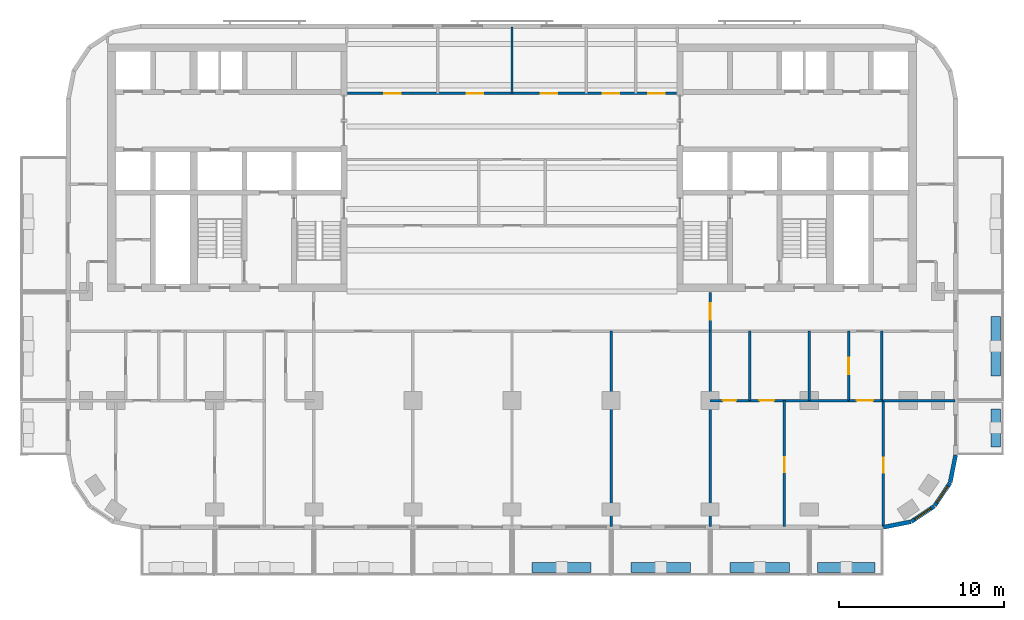
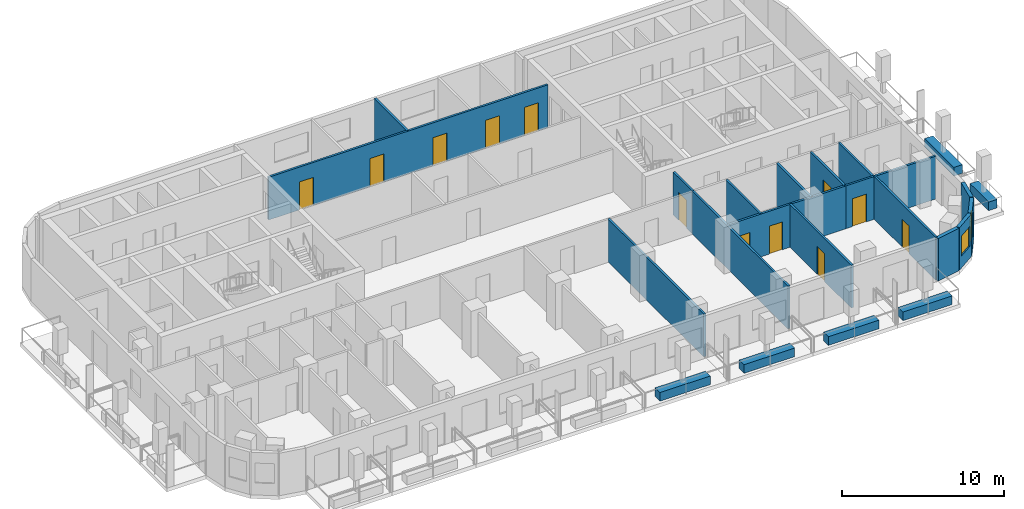
# One storey, part 5 of 11: 24 walls, 12 doors, 2 windows, 14 openings.
"""IFC4 building model written with IfcOpenShell, lengths in metres."""

import ifcopenshell
import ifcopenshell.guid

model = None  # the IFC model being written
_history = None  # IfcOwnerHistory: only IFC2X3 demands one
_inside = {}  # id of a spatial element -> (the spatial element, [elements in it])
_under = {}  # id of a project, library or spatial element -> (it, [spatial elements below it])
_declared = {}  # id of a project -> (the project, [libraries it declares])
_typed = {}  # id of a type object -> (the type object, [elements of that type])
_made_of = {}  # id of a material, layer set ... -> (it, [elements and type objects made of it])


def new_model(schema):
    """Start an empty IFC model of exactly this schema.

    Asked for "IFC4X3", IfcOpenShell would pick the latest addendum, in which some entities
    have other attributes; the version numbers below select the first issue.
    IFC2X3 requires an IfcOwnerHistory on every rooted entity: one is made here for all.
    """
    global model, _history
    if schema == "IFC4X3":
        model = ifcopenshell.file(schema_version=(4, 3, 0, 0))
    else:
        model = ifcopenshell.file(schema=schema)
    _inside.clear()
    _under.clear()
    _declared.clear()
    _typed.clear()
    _made_of.clear()
    _history = None
    if model.schema == "IFC2X3":
        org = make("IfcOrganization", Name="unknown")
        user = make(
            "IfcPersonAndOrganization",
            ThePerson=make("IfcPerson", FamilyName="unknown"),
            TheOrganization=org,
        )
        app = make(
            "IfcApplication",
            ApplicationDeveloper=org,
            Version="unknown",
            ApplicationFullName="unknown",
            ApplicationIdentifier="unknown",
        )
        _history = make(
            "IfcOwnerHistory",
            OwningUser=user,
            OwningApplication=app,
            ChangeAction="ADDED",
            CreationDate=0,
        )
    return model


def make(cls, **values):
    """One entity of the class cls with the attributes given. An attribute that is None is left unset."""
    return model.create_entity(
        cls, **{name: value for name, value in values.items() if value is not None}
    )


def rooted(cls, **values):
    """An entity with a GlobalId (a new one), such as an element, a storey or a relation."""
    return make(cls, GlobalId=ifcopenshell.guid.new(), OwnerHistory=_history, **values)


def si_unit(unit_type, name, prefix=None):
    """IfcSIUnit, for example si_unit("LENGTHUNIT", "METRE", prefix="MILLI")."""
    return make("IfcSIUnit", UnitType=unit_type, Prefix=prefix, Name=name)


def assignment(units):
    """IfcUnitAssignment: the units of a project."""
    return None if units is None else make("IfcUnitAssignment", Units=units)


def point(xyz):
    """IfcCartesianPoint."""
    return None if xyz is None else make("IfcCartesianPoint", Coordinates=xyz)


def direction(xyz):
    """IfcDirection."""
    return None if xyz is None else make("IfcDirection", DirectionRatios=xyz)


def frame(location, z_axis=None, x_axis=None):
    """IfcAxis2Placement3D, a coordinate frame: its origin and axes. An axis left out is left unset."""
    return make(
        "IfcAxis2Placement3D",
        Location=point(location),
        Axis=direction(z_axis),
        RefDirection=direction(x_axis),
    )


def frame_2d(location, x_axis=None):
    """IfcAxis2Placement2D, a coordinate frame in the plane: its origin and x axis."""
    return make(
        "IfcAxis2Placement2D", Location=point(location), RefDirection=direction(x_axis)
    )


def origin():
    """The frame at (0, 0, 0) with its axes left unset."""
    return frame((0.0, 0.0, 0.0))


def place(relative_to, where):
    """IfcLocalPlacement: puts the frame where relative to a parent placement (None: the world)."""
    return make(
        "IfcLocalPlacement", PlacementRelTo=relative_to, RelativePlacement=where
    )


def context(
    kind, dimensions, precision=None, world=None, true_north=None, identifier=None
):
    """IfcGeometricRepresentationContext, for example the 3D "Model" context."""
    return make(
        "IfcGeometricRepresentationContext",
        ContextIdentifier=identifier,
        ContextType=kind,
        CoordinateSpaceDimension=dimensions,
        Precision=precision,
        WorldCoordinateSystem=world,
        TrueNorth=true_north,
    )


def subcontext(parent, identifier, kind, view, scale=None):
    """IfcGeometricRepresentationSubContext, for example "Body" below "Model"."""
    return make(
        "IfcGeometricRepresentationSubContext",
        ContextIdentifier=identifier,
        ContextType=kind,
        ParentContext=parent,
        TargetScale=scale,
        TargetView=view,
    )


def project(units=None, contexts=None):
    """IfcProject with its units and contexts."""
    return rooted(
        "IfcProject",
        Name="project",
        RepresentationContexts=contexts,
        UnitsInContext=assignment(units),
    )


def spatial(cls, under=None, at=None, **own):
    """A site, building, storey or space (cls), placed at a placement, below another one or the project."""
    s = rooted(cls, ObjectPlacement=at, **own)
    if under is not None:
        _under.setdefault(under.id(), (under, []))[1].append(s)
    return s


def profile(cls, at=None, kind="AREA", **sizes):
    """A parametric profile (cls). Its sizes go by their IFC names, for example OverallWidth=200.0."""
    return make(cls, ProfileType=kind, Position=at, **sizes)


def rectangle(**sizes):
    """IfcRectangleProfileDef."""
    return profile("IfcRectangleProfileDef", **sizes)


def extrude(swept, where, along, depth):
    """IfcExtrudedAreaSolid: the profile swept, set in the frame where, extruded along a direction by depth."""
    return make(
        "IfcExtrudedAreaSolid",
        SweptArea=swept,
        Position=where,
        ExtrudedDirection=direction(along),
        Depth=depth,
    )


def shape(context_of_items, identifier, shape_type, items):
    """IfcShapeRepresentation: the items that make up one representation, for example the "Body"."""
    return make(
        "IfcShapeRepresentation",
        ContextOfItems=context_of_items,
        RepresentationIdentifier=identifier,
        RepresentationType=shape_type,
        Items=items,
    )


def material(Name=None, Category=None):
    """IfcMaterial."""
    return make("IfcMaterial", Name=Name, Category=Category)


def layer(
    of_material, thickness, ventilated=None, Name=None, Category=None, Priority=None
):
    """IfcMaterialLayer: one layer of a wall or slab, of a material (None: an air gap)."""
    return make(
        "IfcMaterialLayer",
        Material=of_material,
        LayerThickness=thickness,
        IsVentilated=ventilated,
        Name=Name,
        Category=Category,
        Priority=Priority,
    )


def layer_set(layers, Name=None):
    """IfcMaterialLayerSet."""
    return make("IfcMaterialLayerSet", MaterialLayers=layers, LayerSetName=Name)


def made_of(thing, what):
    """Note that an element or type object is made of a material, layer set ...; save() writes the relation."""
    if what is not None:
        _made_of.setdefault(what.id(), (what, []))[1].append(thing)
    return thing


def type_object(cls, material=None, **own):
    """A type object (cls), such as IfcWallType, which elements share."""
    return made_of(rooted(cls, **own), material)


def element(
    cls,
    number,
    at=None,
    inside=None,
    cuts=None,
    type_object=None,
    material=None,
    context=None,
    identifier="Body",
    shape_type=None,
    held_by="IfcProductDefinitionShape",
    body=None,
    shapes=None,
    **own,
):
    """One element of the class cls, such as IfcWall. Its Tag is "e" and its number.

    at: its placement. inside: the storey or other place that contains it. cuts: it is an
    opening in that element (IfcRelVoidsElement). A single representation is given by context,
    identifier, shape_type and body (its items); several are given by shapes. held_by: the class
    of the entity that holds the representations. save() writes the other relations.
    """
    e = rooted(cls, Tag="e%d" % number, ObjectPlacement=at, **own)
    if body is not None:
        shapes = [shape(context, identifier, shape_type, body)]
    if shapes is not None:
        e.Representation = make(held_by, Representations=shapes)
    if inside is not None:
        _inside.setdefault(inside.id(), (inside, []))[1].append(e)
    if cuts is not None:
        rooted(
            "IfcRelVoidsElement", RelatingBuildingElement=cuts, RelatedOpeningElement=e
        )
    if type_object is not None:
        _typed.setdefault(type_object.id(), (type_object, []))[1].append(e)
    return made_of(e, material)


def fill(opening, filler):
    """IfcRelFillsElement: the door or window that sits in an opening."""
    return rooted(
        "IfcRelFillsElement",
        RelatingOpeningElement=opening,
        RelatedBuildingElement=filler,
    )


def aggregate(whole, parts):
    """IfcRelAggregates: a whole, such as a stair, and the parts it consists of."""
    return rooted("IfcRelAggregates", RelatingObject=whole, RelatedObjects=parts)


def save(model, path):
    """Write the relations noted so far, then the file.

    IfcRelAggregates (storeys below a building ...), IfcRelContainedInSpatialStructure (elements
    in a storey), IfcRelDefinesByType, IfcRelAssociatesMaterial and IfcRelDeclares: one each for
    every whole, place, type object, material and project.
    """
    for whole, parts in _under.values():
        aggregate(whole, parts)
    for where, things in _inside.values():
        rooted(
            "IfcRelContainedInSpatialStructure",
            RelatedElements=things,
            RelatingStructure=where,
        )
    for kind, things in _typed.values():
        rooted("IfcRelDefinesByType", RelatedObjects=things, RelatingType=kind)
    for what, things in _made_of.values():
        rooted("IfcRelAssociatesMaterial", RelatedObjects=things, RelatingMaterial=what)
    for by, libraries in _declared.values():
        rooted("IfcRelDeclares", RelatingContext=by, RelatedDefinitions=libraries)
    model.write(path)


model = new_model("IFC4")

# Units and contexts
model_context = context("Model", 3, precision=1e-05, world=origin(), true_north=direction((0.0, 1.0)))
body_context = subcontext(model_context, "Body", "Model", "MODEL_VIEW")
ifc_project = project(units=[si_unit("LENGTHUNIT", "METRE"), si_unit("AREAUNIT", "SQUARE_METRE"), si_unit("VOLUMEUNIT", "CUBIC_METRE"), si_unit("PLANEANGLEUNIT", "RADIAN"), si_unit("MASSUNIT", "GRAM", prefix="KILO")], contexts=[model_context])

# Site, building, storey
site_placement = place(None, origin())
site = spatial("IfcSite", under=ifc_project, at=site_placement, CompositionType="ELEMENT")
building_placement = place(site_placement, origin())
building = spatial("IfcBuilding", under=site, at=building_placement, Name="Torana Hotel and Residences", CompositionType="ELEMENT")
storey_placement = place(building_placement, frame((0.0, 0.0, 243.10009765625)))
storey = spatial("IfcBuildingStorey", under=building, at=storey_placement, Name="L64", CompositionType="ELEMENT", Elevation=243.10009765625)

# Wall
ifc_material_1 = material(Name="Black aluminium composite panel", Category="aluminium")
ifc_layer_1 = layer(ifc_material_1, 0.00390625, Name="Cladding", Category="cladding")
ifc_material_2 = material(Name="Ventilated air cavity")
ifc_layer_2 = layer(ifc_material_2, 0.0400390625, Name="Ventilated cavity", Category="cavity")
ifc_material_3 = material(Name="Mineral wool insulation")
ifc_layer_3 = layer(ifc_material_3, 0.090087890625, Name="Insulation", Category="insulation")
ifc_material_4 = material(Name="Steel S280GD", Category="steel")
ifc_layer_4 = layer(ifc_material_4, 0.092041015625, Name="Steel stud frame", Category="structure")
ifc_material_5 = material(Name="Fire rated plasterboard")
ifc_layer_5 = layer(ifc_material_5, 0.011962890625, Name="Inner board", Category="finish")
ifc_layer_6 = layer(ifc_material_5, 0.011962890625, Name="Second board", Category="finish")
ifc_layer_set_1 = layer_set([ifc_layer_1, ifc_layer_2, ifc_layer_3, ifc_layer_4, ifc_layer_5, ifc_layer_6], Name="EW1 EXTERNAL WALL BLACK METAL CLAD 250")
wall_type_1 = type_object("IfcWallType", Name="EW1 EXTERNAL WALL BLACK METAL CLAD 250", PredefinedType="SOLIDWALL", material=ifc_layer_set_1)
wall_1_placement = place(storey_placement, frame((22.499755859375, -29.272705078125, 0.0), z_axis=(0.0, 0.0, 1.0), x_axis=(0.980775640221, 0.19513878023, 0.0)))
element("IfcWall", 1, at=wall_1_placement, inside=storey, type_object=wall_type_1, Name="External wall L64 e0.15", PredefinedType="SOLIDWALL", context=body_context, shape_type="SweptSolid", body=[
    extrude(rectangle(XDim=1.681396484375, YDim=0.25, at=frame_2d((0.8408203125, 0.0))), origin(), (0.0, 0.0, 1.0), 3.199951171875),
])

# Wall, opening, window
wall_2_placement = place(storey_placement, frame((24.194091796875, -28.92578125, 0.0), z_axis=(0.0, 0.0, 1.0), x_axis=(0.831482937015, 0.55555029066, 0.0)))
wall_2 = element("IfcWall", 2, at=wall_2_placement, inside=storey, type_object=wall_type_1, Name="External wall L64 e0.16", PredefinedType="SOLIDWALL", context=body_context, shape_type="SweptSolid", body=[
    extrude(rectangle(XDim=1.65625, YDim=0.25, at=frame_2d((0.828125, 0.0))), origin(), (0.0, 0.0, 1.0), 3.199951171875),
])
opening_1_placement = place(wall_2_placement, frame((0.228271484375, 0.0, 0.89990234375)))
opening_1 = element("IfcOpeningElement", 3, at=opening_1_placement, cuts=wall_2, Name="Opening W5", PredefinedType="OPENING", context=body_context, shape_type="SweptSolid", body=[
    extrude(rectangle(XDim=1.199951171875, YDim=1.5, at=frame_2d((0.60009765625, 0.75))), frame((0.0, 0.135009765625, 0.0), z_axis=(0.0, -1.0, 0.0), x_axis=(1.0, 0.0, 0.0)), (0.0, 0.0, 1.0), 0.27001953125),
])
ifc_material_6 = material(Name="Dark glass in black aluminium frame", Category="aluminium")
window_type = type_object("IfcWindowType", Name="W5 CORNER FACET WINDOW 1200x1500", PartitioningType="SINGLE_PANEL", PredefinedType="WINDOW", material=ifc_material_6)
window_1_placement = place(opening_1_placement, origin())
window_1 = element("IfcWindow", 4, at=window_1_placement, inside=storey, type_object=window_type, Name="Window L64 e0.16", OverallHeight=1.5, OverallWidth=1.199951171875, PartitioningType="SINGLE_PANEL", PredefinedType="WINDOW", context=body_context, shape_type="SweptSolid", body=[
    extrude(rectangle(XDim=1.199951171875, YDim=1.5, at=frame_2d((0.60009765625, 0.75))), frame((0.0, 0.030029296875, 0.0), z_axis=(0.0, -1.0, 0.0), x_axis=(1.0, 0.0, 0.0)), (0.0, 0.0, 1.0), 0.06005859375),
])
fill(opening_1, window_1)

wall_3_placement = place(storey_placement, frame((25.605712890625, -27.97119140625, 0.0), z_axis=(0.0, 0.0, 1.0), x_axis=(0.55555029066, 0.831482937015, 0.0)))
wall_3 = element("IfcWall", 5, at=wall_3_placement, inside=storey, type_object=wall_type_1, Name="External wall L64 e0.17", PredefinedType="SOLIDWALL", context=body_context, shape_type="SweptSolid", body=[
    extrude(rectangle(XDim=1.65625, YDim=0.25, at=frame_2d((0.828125, 0.0))), origin(), (0.0, 0.0, 1.0), 3.199951171875),
])
opening_2_placement = place(wall_3_placement, frame((0.228271484375, 0.0, 0.89990234375)))
opening_2 = element("IfcOpeningElement", 6, at=opening_2_placement, cuts=wall_3, Name="Opening W5", PredefinedType="OPENING", context=body_context, shape_type="SweptSolid", body=[
    extrude(rectangle(XDim=1.199951171875, YDim=1.5, at=frame_2d((0.60009765625, 0.75))), frame((0.0, 0.135009765625, 0.0), z_axis=(0.0, -1.0, 0.0), x_axis=(1.0, 0.0, 0.0)), (0.0, 0.0, 1.0), 0.27001953125),
])
window_2_placement = place(opening_2_placement, origin())
window_2 = element("IfcWindow", 7, at=window_2_placement, inside=storey, type_object=window_type, Name="Window L64 e0.17", OverallHeight=1.5, OverallWidth=1.199951171875, PartitioningType="SINGLE_PANEL", PredefinedType="WINDOW", context=body_context, shape_type="SweptSolid", body=[
    extrude(rectangle(XDim=1.199951171875, YDim=1.5, at=frame_2d((0.60009765625, 0.75))), frame((0.0, 0.030029296875, 0.0), z_axis=(0.0, -1.0, 0.0), x_axis=(1.0, 0.0, 0.0)), (0.0, 0.0, 1.0), 0.06005859375),
])
fill(opening_2, window_2)

# Walls
wall_4_placement = place(storey_placement, frame((26.544677734375, -26.548828125, 0.0), z_axis=(0.0, 0.0, 1.0), x_axis=(0.195026884138, 0.980797896849, 0.0)))
element("IfcWall", 8, at=wall_4_placement, inside=storey, type_object=wall_type_1, Name="External wall L64 e0.18", PredefinedType="SOLIDWALL", context=body_context, shape_type="SweptSolid", body=[
    extrude(rectangle(XDim=1.68115234375, YDim=0.25, at=frame_2d((0.840576171875, 0.0))), origin(), (0.0, 0.0, 1.0), 3.199951171875),
])
ifc_material_7 = material(Name="Gypsum plaster")
ifc_layer_7 = layer(ifc_material_7, 0.014892578125, Name="Plaster", Category="finish")
ifc_material_8 = material(Name="Concrete blockwork", Category="masonry")
ifc_layer_8 = layer(ifc_material_8, 0.1201171875, Name="Blockwork", Category="structure")
ifc_layer_9 = layer(ifc_material_7, 0.014892578125, Name="Plaster", Category="finish")
ifc_layer_set_2 = layer_set([ifc_layer_7, ifc_layer_8, ifc_layer_9], Name="FIRE PARTITION 150 BLOCKWORK")
wall_type_2 = type_object("IfcWallType", Name="FIRE PARTITION 150 BLOCKWORK", PredefinedType="PARTITIONING", material=ifc_layer_set_2)
wall_5_placement = place(storey_placement, frame((22.39990234375, -21.60009765625, 0.0), z_axis=(0.0, 0.0, 1.0), x_axis=(0.0, 1.0, 0.0)))
element("IfcWall", 9, at=wall_5_placement, inside=storey, type_object=wall_type_2, Name="Partition L64", PredefinedType="PARTITIONING", context=body_context, shape_type="SweptSolid", body=[
    extrude(rectangle(XDim=4.2001953125, YDim=0.14990234375, at=frame_2d((2.10009765625, 0.0))), origin(), (0.0, 0.0, 1.0), 3.219970703125),
])

# Wall, opening, door
wall_6_placement = place(storey_placement, frame((20.39990234375, -21.60009765625, 0.0), z_axis=(0.0, 0.0, 1.0), x_axis=(0.0, 1.0, 0.0)))
wall_6 = element("IfcWall", 10, at=wall_6_placement, inside=storey, type_object=wall_type_2, Name="Partition L64", PredefinedType="PARTITIONING", context=body_context, shape_type="SweptSolid", body=[
    extrude(rectangle(XDim=4.2001953125, YDim=0.14990234375, at=frame_2d((2.10009765625, 0.0))), origin(), (0.0, 0.0, 1.0), 3.219970703125),
])
opening_3_placement = place(wall_6_placement, frame((1.60009765625, 0.0, 0.0)))
opening_3 = element("IfcOpeningElement", 11, at=opening_3_placement, cuts=wall_6, Name="Opening L64-58", PredefinedType="OPENING", context=body_context, shape_type="SweptSolid", body=[
    extrude(rectangle(XDim=1.0, YDim=2.10009765625, at=frame_2d((0.5, 1.050048828125))), frame((0.0, 0.0849609375, 0.0), z_axis=(0.0, -1.0, 0.0), x_axis=(1.0, 0.0, 0.0)), (0.0, 0.0, 1.0), 0.169921875),
])
ifc_material_9 = material(Name="Steel S235", Category="steel")
door_type_1 = type_object("IfcDoorType", Name="ENTRY FIRE DOOR D6 1000x2100", OperationType="SINGLE_SWING_LEFT", PredefinedType="DOOR", material=ifc_material_9)
door_1_placement = place(opening_3_placement, origin())
door_1 = element("IfcDoor", 12, at=door_1_placement, inside=storey, type_object=door_type_1, Name="Door L64", OperationType="SINGLE_SWING_RIGHT", OverallHeight=2.10009765625, OverallWidth=1.0, PredefinedType="DOOR", context=body_context, shape_type="SweptSolid", body=[
    extrude(rectangle(XDim=1.0, YDim=2.10009765625, at=frame_2d((0.5, 1.050048828125))), frame((0.0, 0.02490234375, 0.0), z_axis=(0.0, -1.0, 0.0), x_axis=(1.0, 0.0, 0.0)), (0.0, 0.0, 1.0), 0.050048828125),
])
fill(opening_3, door_1)

wall_7_placement = place(storey_placement, frame((12.0, -17.39990234375, 0.0), z_axis=(0.0, 0.0, 1.0), x_axis=(0.0, 1.0, 0.0)))
wall_7 = element("IfcWall", 13, at=wall_7_placement, inside=storey, type_object=wall_type_2, Name="Partition L64", PredefinedType="PARTITIONING", context=body_context, shape_type="SweptSolid", body=[
    extrude(rectangle(XDim=2.349853515625, YDim=0.14990234375, at=frame_2d((1.1748046875, 0.0))), origin(), (0.0, 0.0, 1.0), 3.219970703125),
])
opening_4_placement = place(wall_7_placement, frame((0.699951171875, 0.0, 0.0)))
opening_4 = element("IfcOpeningElement", 14, at=opening_4_placement, cuts=wall_7, Name="Opening L64-32", PredefinedType="OPENING", context=body_context, shape_type="SweptSolid", body=[
    extrude(rectangle(XDim=1.0, YDim=2.10009765625, at=frame_2d((0.5, 1.050048828125))), frame((0.0, 0.0849609375, 0.0), z_axis=(0.0, -1.0, 0.0), x_axis=(1.0, 0.0, 0.0)), (0.0, 0.0, 1.0), 0.169921875),
])
door_2_placement = place(opening_4_placement, origin())
door_2 = element("IfcDoor", 15, at=door_2_placement, inside=storey, type_object=door_type_1, Name="Door L64", OperationType="SINGLE_SWING_RIGHT", OverallHeight=2.10009765625, OverallWidth=1.0, PredefinedType="DOOR", context=body_context, shape_type="SweptSolid", body=[
    extrude(rectangle(XDim=1.0, YDim=2.10009765625, at=frame_2d((0.5, 1.050048828125))), frame((0.0, 0.02490234375, 0.0), z_axis=(0.0, -1.0, 0.0), x_axis=(1.0, 0.0, 0.0)), (0.0, 0.0, 1.0), 0.050048828125),
])
fill(opening_4, door_2)

wall_8_placement = place(storey_placement, frame((20.39990234375, -21.60009765625, 0.0), z_axis=(0.0, 0.0, 1.0), x_axis=(1.0, 0.0, 0.0)))
wall_8 = element("IfcWall", 16, at=wall_8_placement, inside=storey, type_object=wall_type_2, Name="Partition L64", PredefinedType="PARTITIONING", context=body_context, shape_type="SweptSolid", body=[
    extrude(rectangle(XDim=2.0, YDim=0.14990234375, at=frame_2d((1.0, 0.0))), origin(), (0.0, 0.0, 1.0), 3.219970703125),
])
opening_5_placement = place(wall_8_placement, frame((0.47998046875, 0.0, 0.0)))
opening_5 = element("IfcOpeningElement", 17, at=opening_5_placement, cuts=wall_8, Name="Opening L64-59", PredefinedType="OPENING", context=body_context, shape_type="SweptSolid", body=[
    extrude(rectangle(XDim=1.0, YDim=2.10009765625, at=frame_2d((0.5, 1.050048828125))), frame((0.0, 0.0849609375, 0.0), z_axis=(0.0, -1.0, 0.0), x_axis=(1.0, 0.0, 0.0)), (0.0, 0.0, 1.0), 0.169921875),
])
door_3_placement = place(opening_5_placement, frame((0.5, 0.0, 0.0), z_axis=(0.0, 0.0, 1.0), x_axis=(-1.0, 0.0, 0.0)))
door_3 = element("IfcDoor", 18, at=door_3_placement, inside=storey, type_object=door_type_1, Name="Door L64", OperationType="SINGLE_SWING_RIGHT", OverallHeight=2.10009765625, OverallWidth=1.0, PredefinedType="DOOR", context=body_context, shape_type="SweptSolid", body=[
    extrude(rectangle(XDim=1.0, YDim=2.10009765625, at=frame_2d((0.0, 1.050048828125))), frame((0.0, -0.02490234375, 0.0), z_axis=(0.0, 1.0, 0.0), x_axis=(-1.0, 0.0, 0.0)), (0.0, 0.0, 1.0), 0.050048828125),
])
fill(opening_5, door_3)

# Wall, openings, doors
wall_9_placement = place(storey_placement, frame((-9.949951171875, -3.0, 0.0), z_axis=(0.0, 0.0, 1.0), x_axis=(1.0, 0.0, 0.0)))
wall_9 = element("IfcWall", 19, at=wall_9_placement, inside=storey, type_object=wall_type_2, Name="Partition L64", PredefinedType="PARTITIONING", context=body_context, shape_type="SweptSolid", body=[
    extrude(rectangle(XDim=19.89990234375, YDim=0.14990234375, at=frame_2d((9.949951171875, 0.0))), origin(), (0.0, 0.0, 1.0), 3.219970703125),
])
opening_6_placement = place(wall_9_placement, frame((2.199951171875, 0.0, 0.0)))
opening_6 = element("IfcOpeningElement", 20, at=opening_6_placement, cuts=wall_9, Name="Opening L64-44", PredefinedType="OPENING", context=body_context, shape_type="SweptSolid", body=[
    extrude(rectangle(XDim=1.0, YDim=2.10009765625, at=frame_2d((0.5, 1.050048828125))), frame((0.0, 0.0849609375, 0.0), z_axis=(0.0, -1.0, 0.0), x_axis=(1.0, 0.0, 0.0)), (0.0, 0.0, 1.0), 0.169921875),
])
opening_7_placement = place(wall_9_placement, frame((7.199951171875, 0.0, 0.0)))
opening_7 = element("IfcOpeningElement", 21, at=opening_7_placement, cuts=wall_9, Name="Opening L64-45", PredefinedType="OPENING", context=body_context, shape_type="SweptSolid", body=[
    extrude(rectangle(XDim=1.0, YDim=2.10009765625, at=frame_2d((0.5, 1.050048828125))), frame((0.0, 0.0849609375, 0.0), z_axis=(0.0, -1.0, 0.0), x_axis=(1.0, 0.0, 0.0)), (0.0, 0.0, 1.0), 0.169921875),
])
opening_8_placement = place(wall_9_placement, frame((11.699951171875, 0.0, 0.0)))
opening_8 = element("IfcOpeningElement", 22, at=opening_8_placement, cuts=wall_9, Name="Opening L64-46", PredefinedType="OPENING", context=body_context, shape_type="SweptSolid", body=[
    extrude(rectangle(XDim=1.0, YDim=2.10009765625, at=frame_2d((0.5, 1.050048828125))), frame((0.0, 0.0849609375, 0.0), z_axis=(0.0, -1.0, 0.0), x_axis=(1.0, 0.0, 0.0)), (0.0, 0.0, 1.0), 0.169921875),
])
opening_9_placement = place(wall_9_placement, frame((15.449951171875, 0.0, 0.0)))
opening_9 = element("IfcOpeningElement", 23, at=opening_9_placement, cuts=wall_9, Name="Opening L64-47", PredefinedType="OPENING", context=body_context, shape_type="SweptSolid", body=[
    extrude(rectangle(XDim=1.0, YDim=2.10009765625, at=frame_2d((0.5, 1.050048828125))), frame((0.0, 0.0849609375, 0.0), z_axis=(0.0, -1.0, 0.0), x_axis=(1.0, 0.0, 0.0)), (0.0, 0.0, 1.0), 0.169921875),
])
opening_10_placement = place(wall_9_placement, frame((18.199951171875, 0.0, 0.0)))
opening_10 = element("IfcOpeningElement", 24, at=opening_10_placement, cuts=wall_9, Name="Opening L64-48", PredefinedType="OPENING", context=body_context, shape_type="SweptSolid", body=[
    extrude(rectangle(XDim=1.0, YDim=2.10009765625, at=frame_2d((0.5, 1.050048828125))), frame((0.0, 0.0849609375, 0.0), z_axis=(0.0, -1.0, 0.0), x_axis=(1.0, 0.0, 0.0)), (0.0, 0.0, 1.0), 0.169921875),
])
door_4_placement = place(opening_6_placement, origin())
door_4 = element("IfcDoor", 25, at=door_4_placement, inside=storey, type_object=door_type_1, Name="Door L64", OperationType="SINGLE_SWING_RIGHT", OverallHeight=2.10009765625, OverallWidth=1.0, PredefinedType="DOOR", context=body_context, shape_type="SweptSolid", body=[
    extrude(rectangle(XDim=1.0, YDim=2.10009765625, at=frame_2d((0.5, 1.050048828125))), frame((0.0, 0.02490234375, 0.0), z_axis=(0.0, -1.0, 0.0), x_axis=(1.0, 0.0, 0.0)), (0.0, 0.0, 1.0), 0.050048828125),
])
fill(opening_6, door_4)
door_5_placement = place(opening_7_placement, origin())
door_5 = element("IfcDoor", 26, at=door_5_placement, inside=storey, type_object=door_type_1, Name="Door L64", OperationType="SINGLE_SWING_RIGHT", OverallHeight=2.10009765625, OverallWidth=1.0, PredefinedType="DOOR", context=body_context, shape_type="SweptSolid", body=[
    extrude(rectangle(XDim=1.0, YDim=2.10009765625, at=frame_2d((0.5, 1.050048828125))), frame((0.0, 0.02490234375, 0.0), z_axis=(0.0, -1.0, 0.0), x_axis=(1.0, 0.0, 0.0)), (0.0, 0.0, 1.0), 0.050048828125),
])
fill(opening_7, door_5)
door_6_placement = place(opening_8_placement, origin())
door_6 = element("IfcDoor", 27, at=door_6_placement, inside=storey, type_object=door_type_1, Name="Door L64", OperationType="SINGLE_SWING_RIGHT", OverallHeight=2.10009765625, OverallWidth=1.0, PredefinedType="DOOR", context=body_context, shape_type="SweptSolid", body=[
    extrude(rectangle(XDim=1.0, YDim=2.10009765625, at=frame_2d((0.5, 1.050048828125))), frame((0.0, 0.02490234375, 0.0), z_axis=(0.0, -1.0, 0.0), x_axis=(1.0, 0.0, 0.0)), (0.0, 0.0, 1.0), 0.050048828125),
])
fill(opening_8, door_6)
door_7_placement = place(opening_9_placement, origin())
door_7 = element("IfcDoor", 28, at=door_7_placement, inside=storey, type_object=door_type_1, Name="Door L64", OperationType="SINGLE_SWING_RIGHT", OverallHeight=2.10009765625, OverallWidth=1.0, PredefinedType="DOOR", context=body_context, shape_type="SweptSolid", body=[
    extrude(rectangle(XDim=1.0, YDim=2.10009765625, at=frame_2d((0.5, 1.050048828125))), frame((0.0, 0.02490234375, 0.0), z_axis=(0.0, -1.0, 0.0), x_axis=(1.0, 0.0, 0.0)), (0.0, 0.0, 1.0), 0.050048828125),
])
fill(opening_9, door_7)
door_8_placement = place(opening_10_placement, origin())
door_8 = element("IfcDoor", 29, at=door_8_placement, inside=storey, type_object=door_type_1, Name="Door L64", OperationType="SINGLE_SWING_RIGHT", OverallHeight=2.10009765625, OverallWidth=1.0, PredefinedType="DOOR", context=body_context, shape_type="SweptSolid", body=[
    extrude(rectangle(XDim=1.0, YDim=2.10009765625, at=frame_2d((0.5, 1.050048828125))), frame((0.0, 0.02490234375, 0.0), z_axis=(0.0, -1.0, 0.0), x_axis=(1.0, 0.0, 0.0)), (0.0, 0.0, 1.0), 0.050048828125),
])
fill(opening_10, door_8)

# Wall, opening, door
ifc_material_10 = material(Name="Gypsum plasterboard")
ifc_layer_10 = layer(ifc_material_10, 0.012451171875, Name="Plasterboard", Category="finish")
ifc_layer_11 = layer(ifc_material_10, 0.012451171875, Name="Plasterboard", Category="finish")
ifc_layer_12 = layer(ifc_material_4, 0.10009765625, Name="Steel studs with mineral wool", Category="insulation")
ifc_layer_13 = layer(ifc_material_10, 0.012451171875, Name="Plasterboard", Category="finish")
ifc_layer_14 = layer(ifc_material_10, 0.012451171875, Name="Plasterboard", Category="finish")
ifc_layer_set_3 = layer_set([ifc_layer_10, ifc_layer_11, ifc_layer_12, ifc_layer_13, ifc_layer_14], Name="PARTITION 150 PLASTERBOARD")
wall_type_3 = type_object("IfcWallType", Name="PARTITION 150 PLASTERBOARD", PredefinedType="PARTITIONING", material=ifc_layer_set_3)
wall_10_placement = place(storey_placement, frame((22.5, -29.216552734375, 0.0), z_axis=(0.0, 0.0, 1.0), x_axis=(0.0, 1.0, 0.0)))
wall_10 = element("IfcWall", 30, at=wall_10_placement, inside=storey, type_object=wall_type_3, Name="Partition L64", PredefinedType="PARTITIONING", context=body_context, shape_type="SweptSolid", body=[
    extrude(rectangle(XDim=7.616455078125, YDim=0.14990234375, at=frame_2d((3.80810546875, 0.0))), origin(), (0.0, 0.0, 1.0), 3.219970703125),
])
opening_11_placement = place(wall_10_placement, frame((3.24658203125, 0.0, 0.0)))
opening_11 = element("IfcOpeningElement", 31, at=opening_11_placement, cuts=wall_10, Name="Opening L64-61", PredefinedType="OPENING", context=body_context, shape_type="SweptSolid", body=[
    extrude(rectangle(XDim=0.89990234375, YDim=2.10009765625, at=frame_2d((0.449951171875, 1.050048828125))), frame((0.0, 0.0849609375, 0.0), z_axis=(0.0, -1.0, 0.0), x_axis=(1.0, 0.0, 0.0)), (0.0, 0.0, 1.0), 0.169921875),
])
ifc_material_11 = material(Name="Timber door, oiled ash", Category="wood")
door_type_2 = type_object("IfcDoorType", Name="ROOM DOOR D7 900x2100", OperationType="SINGLE_SWING_LEFT", PredefinedType="DOOR", material=ifc_material_11)
door_9_placement = place(opening_11_placement, origin())
door_9 = element("IfcDoor", 32, at=door_9_placement, inside=storey, type_object=door_type_2, Name="Door L64", OperationType="SINGLE_SWING_RIGHT", OverallHeight=2.10009765625, OverallWidth=0.89990234375, PredefinedType="DOOR", context=body_context, shape_type="SweptSolid", body=[
    extrude(rectangle(XDim=0.89990234375, YDim=2.10009765625, at=frame_2d((0.449951171875, 1.050048828125))), frame((0.0, 0.02490234375, 0.0), z_axis=(0.0, -1.0, 0.0), x_axis=(1.0, 0.0, 0.0)), (0.0, 0.0, 1.0), 0.050048828125),
])
fill(opening_11, door_9)

# Wall
wall_11_placement = place(storey_placement, frame((18.0, -21.60009765625, 0.0), z_axis=(0.0, 0.0, 1.0), x_axis=(0.0, 1.0, 0.0)))
element("IfcWall", 33, at=wall_11_placement, inside=storey, type_object=wall_type_3, Name="Partition L64", PredefinedType="PARTITIONING", context=body_context, shape_type="SweptSolid", body=[
    extrude(rectangle(XDim=4.2001953125, YDim=0.14990234375, at=frame_2d((2.10009765625, 0.0))), origin(), (0.0, 0.0, 1.0), 3.219970703125),
])

# Wall, opening, door
wall_12_placement = place(storey_placement, frame((16.5, -29.219970703125, 0.0), z_axis=(0.0, 0.0, 1.0), x_axis=(0.0, 1.0, 0.0)))
wall_12 = element("IfcWall", 34, at=wall_12_placement, inside=storey, type_object=wall_type_3, Name="Partition L64", PredefinedType="PARTITIONING", context=body_context, shape_type="SweptSolid", body=[
    extrude(rectangle(XDim=7.619873046875, YDim=0.14990234375, at=frame_2d((3.81005859375, 0.0))), origin(), (0.0, 0.0, 1.0), 3.219970703125),
])
opening_12_placement = place(wall_12_placement, frame((3.2900390625, 0.0, 0.0)))
opening_12 = element("IfcOpeningElement", 35, at=opening_12_placement, cuts=wall_12, Name="Opening L64-60", PredefinedType="OPENING", context=body_context, shape_type="SweptSolid", body=[
    extrude(rectangle(XDim=0.89990234375, YDim=2.10009765625, at=frame_2d((0.449951171875, 1.050048828125))), frame((0.0, 0.0849609375, 0.0), z_axis=(0.0, -1.0, 0.0), x_axis=(1.0, 0.0, 0.0)), (0.0, 0.0, 1.0), 0.169921875),
])
door_10_placement = place(opening_12_placement, origin())
door_10 = element("IfcDoor", 36, at=door_10_placement, inside=storey, type_object=door_type_2, Name="Door L64", OperationType="SINGLE_SWING_RIGHT", OverallHeight=2.10009765625, OverallWidth=0.89990234375, PredefinedType="DOOR", context=body_context, shape_type="SweptSolid", body=[
    extrude(rectangle(XDim=0.89990234375, YDim=2.10009765625, at=frame_2d((0.449951171875, 1.050048828125))), frame((0.0, 0.02490234375, 0.0), z_axis=(0.0, -1.0, 0.0), x_axis=(1.0, 0.0, 0.0)), (0.0, 0.0, 1.0), 0.050048828125),
])
fill(opening_12, door_10)

# Walls
wall_13_placement = place(storey_placement, frame((14.39990234375, -21.60009765625, 0.0), z_axis=(0.0, 0.0, 1.0), x_axis=(0.0, 1.0, 0.0)))
element("IfcWall", 37, at=wall_13_placement, inside=storey, type_object=wall_type_3, Name="Partition L64", PredefinedType="PARTITIONING", context=body_context, shape_type="SweptSolid", body=[
    extrude(rectangle(XDim=4.2001953125, YDim=0.14990234375, at=frame_2d((2.10009765625, 0.0))), origin(), (0.0, 0.0, 1.0), 3.219970703125),
])
for number, where, z_axis, x_axis, name in (
    (38, (12.0, -29.219970703125, 0.0), (0.0, 0.0, 1.0), (0.0, 1.0, 0.0), "Partition L64"),
    (39, (6.0, -29.219970703125, 0.0), (0.0, 0.0, 1.0), (0.0, 1.0, 0.0), "Partition L64"),
):
    element("IfcWall", number, at=place(storey_placement, frame(where, z_axis=z_axis, x_axis=x_axis)), inside=storey, type_object=wall_type_3, Name=name, PredefinedType="PARTITIONING", context=body_context, shape_type="SweptSolid", body=[
        extrude(rectangle(XDim=11.820068359375, YDim=0.14990234375, at=frame_2d((5.91015625, 0.0))), origin(), (0.0, 0.0, 1.0), 3.219970703125),
    ])
wall_14_placement = place(storey_placement, frame((0.0, -3.0, 0.0), z_axis=(0.0, 0.0, 1.0), x_axis=(0.0, 1.0, 0.0)))
element("IfcWall", 40, at=wall_14_placement, inside=storey, type_object=wall_type_3, Name="Partition L64", PredefinedType="PARTITIONING", context=body_context, shape_type="SweptSolid", body=[
    extrude(rectangle(XDim=4.02001953125, YDim=0.14990234375, at=frame_2d((2.010009765625, 0.0))), origin(), (0.0, 0.0, 1.0), 3.219970703125),
])

# Wall, openings, doors
wall_15_placement = place(storey_placement, frame((12.0, -21.60009765625, 0.0), z_axis=(0.0, 0.0, 1.0), x_axis=(1.0, 0.0, 0.0)))
wall_15 = element("IfcWall", 41, at=wall_15_placement, inside=storey, type_object=wall_type_3, Name="Partition L64", PredefinedType="PARTITIONING", context=body_context, shape_type="SweptSolid", body=[
    extrude(rectangle(XDim=8.39990234375, YDim=0.14990234375, at=frame_2d((4.199951171875, 0.0))), origin(), (0.0, 0.0, 1.0), 3.219970703125),
])
opening_13_placement = place(wall_15_placement, frame((0.780029296875, 0.0, 0.0)))
opening_13 = element("IfcOpeningElement", 42, at=opening_13_placement, cuts=wall_15, Name="Opening L64-56", PredefinedType="OPENING", context=body_context, shape_type="SweptSolid", body=[
    extrude(rectangle(XDim=0.800048828125, YDim=2.10009765625, at=frame_2d((0.39990234375, 1.050048828125))), frame((0.0, 0.0849609375, 0.0), z_axis=(0.0, -1.0, 0.0), x_axis=(1.0, 0.0, 0.0)), (0.0, 0.0, 1.0), 0.169921875),
])
opening_14_placement = place(wall_15_placement, frame((2.97998046875, 0.0, 0.0)))
opening_14 = element("IfcOpeningElement", 43, at=opening_14_placement, cuts=wall_15, Name="Opening L64-57", PredefinedType="OPENING", context=body_context, shape_type="SweptSolid", body=[
    extrude(rectangle(XDim=0.89990234375, YDim=2.10009765625, at=frame_2d((0.449951171875, 1.050048828125))), frame((0.0, 0.0849609375, 0.0), z_axis=(0.0, -1.0, 0.0), x_axis=(1.0, 0.0, 0.0)), (0.0, 0.0, 1.0), 0.169921875),
])
ifc_material_12 = material(Name="Timber door, painted", Category="wood")
door_type_3 = type_object("IfcDoorType", Name="BATH DOOR D13 800x2100", OperationType="SINGLE_SWING_LEFT", PredefinedType="DOOR", material=ifc_material_12)
door_11_placement = place(opening_13_placement, origin())
door_11 = element("IfcDoor", 44, at=door_11_placement, inside=storey, type_object=door_type_3, Name="Door L64", OperationType="SINGLE_SWING_RIGHT", OverallHeight=2.10009765625, OverallWidth=0.800048828125, PredefinedType="DOOR", context=body_context, shape_type="SweptSolid", body=[
    extrude(rectangle(XDim=0.800048828125, YDim=2.10009765625, at=frame_2d((0.39990234375, 1.050048828125))), frame((0.0, 0.02490234375, 0.0), z_axis=(0.0, -1.0, 0.0), x_axis=(1.0, 0.0, 0.0)), (0.0, 0.0, 1.0), 0.050048828125),
])
fill(opening_13, door_11)
door_12_placement = place(opening_14_placement, origin())
door_12 = element("IfcDoor", 45, at=door_12_placement, inside=storey, type_object=door_type_2, Name="Door L64", OperationType="SINGLE_SWING_RIGHT", OverallHeight=2.10009765625, OverallWidth=0.89990234375, PredefinedType="DOOR", context=body_context, shape_type="SweptSolid", body=[
    extrude(rectangle(XDim=0.89990234375, YDim=2.10009765625, at=frame_2d((0.449951171875, 1.050048828125))), frame((0.0, 0.02490234375, 0.0), z_axis=(0.0, -1.0, 0.0), x_axis=(1.0, 0.0, 0.0)), (0.0, 0.0, 1.0), 0.050048828125),
])
fill(opening_14, door_12)

# Walls
wall_16_placement = place(storey_placement, frame((22.5, -21.60009765625, 0.0), z_axis=(0.0, 0.0, 1.0), x_axis=(1.0, 0.0, 0.0)))
element("IfcWall", 46, at=wall_16_placement, inside=storey, type_object=wall_type_3, Name="Partition L64", PredefinedType="PARTITIONING", context=body_context, shape_type="SweptSolid", body=[
    extrude(rectangle(XDim=4.320068359375, YDim=0.14990234375, at=frame_2d((2.16015625, 0.0))), origin(), (0.0, 0.0, 1.0), 3.219970703125),
])
ifc_material_13 = material(Name="Concrete C40/50 precast", Category="concrete")
ifc_layer_15 = layer(ifc_material_13, 0.10009765625, Name="Planter shell", Category="structure")
ifc_material_14 = material(Name="Root resistant membrane")
ifc_layer_16 = layer(ifc_material_14, 0.00390625, Name="Waterproofing membrane", Category="membrane")
ifc_material_15 = material(Name="Drainage board with filter fleece")
ifc_layer_17 = layer(ifc_material_15, 0.02001953125, Name="Drainage board", Category="drainage")
ifc_material_16 = material(Name="Growing medium")
ifc_layer_18 = layer(ifc_material_16, 0.47607421875, Name="Planting substrate", Category="soil")
ifc_layer_set_4 = layer_set([ifc_layer_15, ifc_layer_16, ifc_layer_17, ifc_layer_18], Name="PL1 BALCONY PLANTER 600")
wall_type_4 = type_object("IfcWallType", Name="PL1 BALCONY PLANTER 600", PredefinedType="USERDEFINED", material=ifc_layer_set_4)
for number, where, z_axis, x_axis, name in (
    (47, (4.800048828125, -31.699951171875, 0.0), (0.0, 0.0, 1.0), (-1.0, 0.0, 0.0), "Planter 05"),
    (48, (10.800048828125, -31.699951171875, 0.0), (0.0, 0.0, 1.0), (-1.0, 0.0, 0.0), "Planter 06"),
    (49, (16.800048828125, -31.699951171875, 0.0), (0.0, 0.0, 1.0), (-1.0, 0.0, 0.0), "Planter 07"),
):
    element("IfcWall", number, at=place(storey_placement, frame(where, z_axis=z_axis, x_axis=x_axis)), inside=storey, type_object=wall_type_4, Name=name, ObjectType="PLANTER", PredefinedType="USERDEFINED", context=body_context, shape_type="SweptSolid", body=[
        extrude(rectangle(XDim=3.60009765625, YDim=0.60009765625, at=frame_2d((1.800048828125, 0.0))), origin(), (0.0, 0.0, 1.0), 0.64990234375),
    ])
wall_17_placement = place(storey_placement, frame((22.0, -31.699951171875, 0.0), z_axis=(0.0, 0.0, 1.0), x_axis=(-1.0, 0.0, 0.0)))
element("IfcWall", 50, at=wall_17_placement, inside=storey, type_object=wall_type_4, Name="Planter 08", ObjectType="PLANTER", PredefinedType="USERDEFINED", context=body_context, shape_type="SweptSolid", body=[
    extrude(rectangle(XDim=3.5, YDim=0.60009765625, at=frame_2d((1.75, 0.0))), origin(), (0.0, 0.0, 1.0), 0.64990234375),
])
wall_18_placement = place(storey_placement, frame((29.300048828125, -22.10009765625, 0.0), z_axis=(0.0, 0.0, 1.0), x_axis=(0.0, -1.0, 0.0)))
element("IfcWall", 51, at=wall_18_placement, inside=storey, type_object=wall_type_4, Name="Planter 12", ObjectType="PLANTER", PredefinedType="USERDEFINED", context=body_context, shape_type="SweptSolid", body=[
    extrude(rectangle(XDim=2.2998046875, YDim=0.60009765625, at=frame_2d((1.14990234375, 0.0))), origin(), (0.0, 0.0, 1.0), 0.64990234375),
])
wall_19_placement = place(storey_placement, frame((29.300048828125, -16.5, 0.0), z_axis=(0.0, 0.0, 1.0), x_axis=(0.0, -1.0, 0.0)))
element("IfcWall", 52, at=wall_19_placement, inside=storey, type_object=wall_type_4, Name="Planter 13", ObjectType="PLANTER", PredefinedType="USERDEFINED", context=body_context, shape_type="SweptSolid", body=[
    extrude(rectangle(XDim=3.60009765625, YDim=0.60009765625, at=frame_2d((1.800048828125, 0.0))), origin(), (0.0, 0.0, 1.0), 0.64990234375),
])

save(model, "model.ifc")
